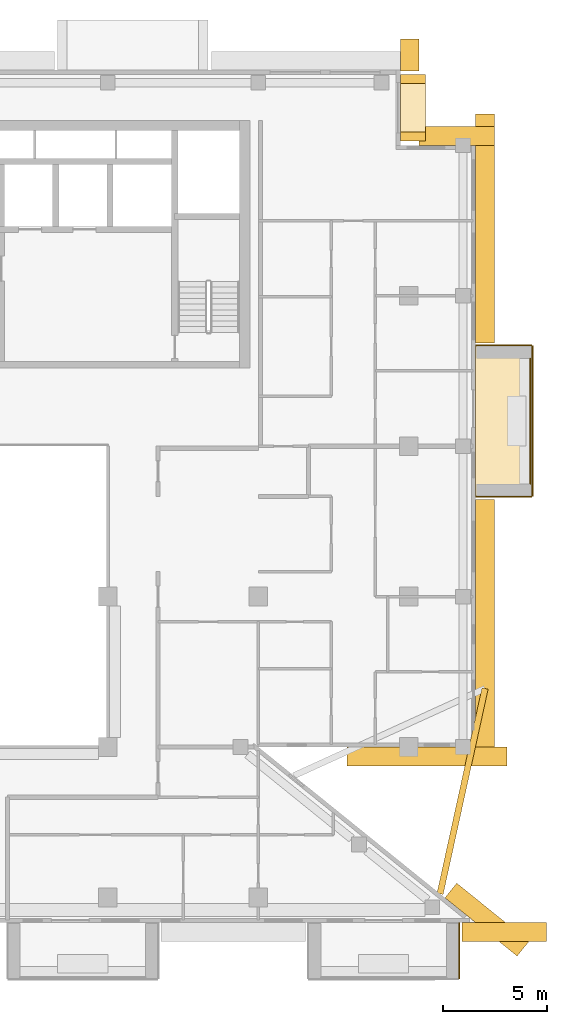
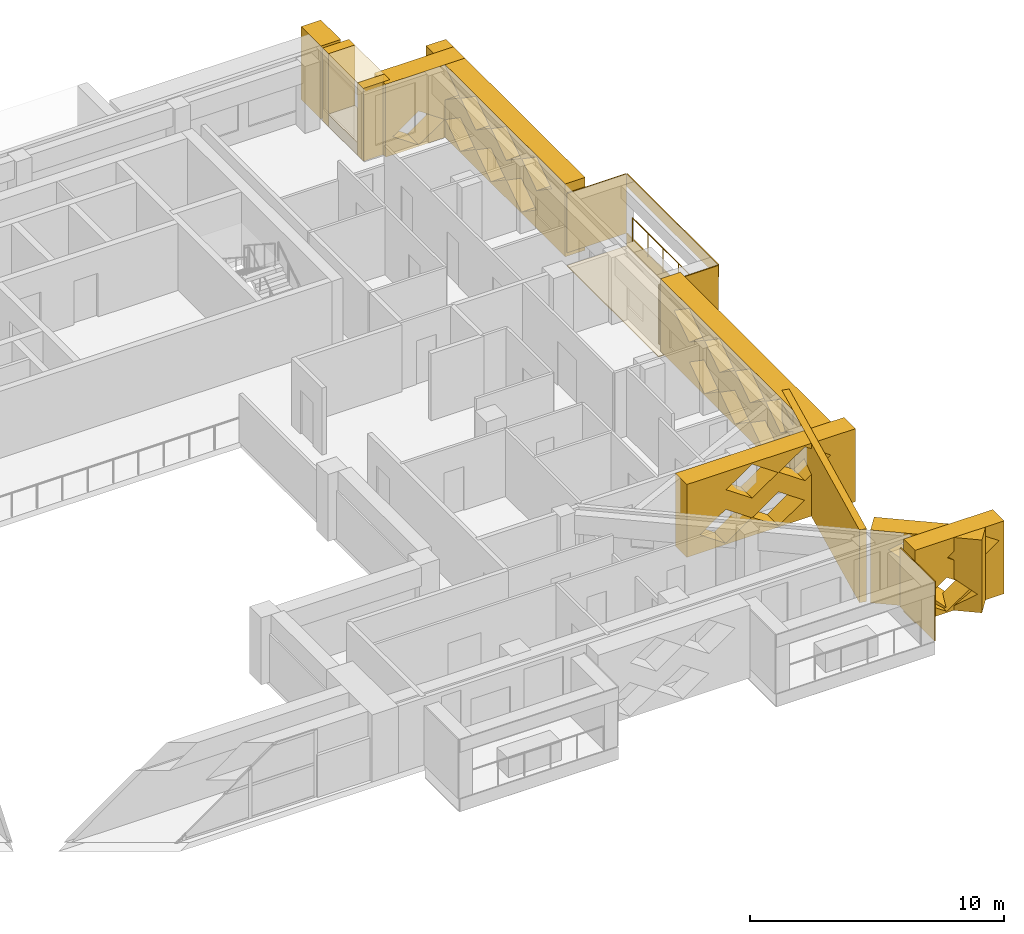
# One storey, part 19 of 19: 18 coverings, 1 railing.
"""IFC4 building model written with IfcOpenShell, lengths in metres."""

from ifc_helpers import new_model, si_unit, direction, frame, origin, origin_2d, place, context, subcontext, project, spatial, polyline, circle, outline, extrude, material, layer, layer_set, type_object, element, save


model = new_model("IFC4")

# Units and contexts
model_context = context("Model", 3, precision=1e-05, world=origin(), true_north=direction((0.0, 1.0)))
body_context = subcontext(model_context, "Body", "Model", "MODEL_VIEW")
ifc_project = project(units=[si_unit("LENGTHUNIT", "METRE"), si_unit("AREAUNIT", "SQUARE_METRE"), si_unit("VOLUMEUNIT", "CUBIC_METRE"), si_unit("PLANEANGLEUNIT", "RADIAN"), si_unit("MASSUNIT", "GRAM", prefix="KILO")], contexts=[model_context])

# Site, building, storey
site_placement = place(None, origin())
site = spatial("IfcSite", under=ifc_project, at=site_placement, CompositionType="ELEMENT")
building_placement = place(site_placement, origin())
building = spatial("IfcBuilding", under=site, at=building_placement, Name="Saffron Iwan Residences", CompositionType="ELEMENT")
storey_placement = place(building_placement, frame((0.0, 0.0, 225.5)))
storey = spatial("IfcBuildingStorey", under=building, at=storey_placement, Name="L60", CompositionType="ELEMENT", Elevation=225.5)

# Railing
ifc_material_1 = material(Name="Stainless steel 316", Category="steel")
railing_type = type_object("IfcRailingType", Name="BALCONY GUARD 1150", PredefinedType="GUARDRAIL", material=ifc_material_1)
railing_placement = place(storey_placement, frame((85.02490234375, 60.60009765625, 0.0)))
element("IfcRailing", 1, at=railing_placement, inside=storey, type_object=railing_type, Name="Balcony guard L60 F2-0", PredefinedType="GUARDRAIL", context=body_context, shape_type="SweptSolid", body=[
    extrude(circle(Radius=0.02392578125, at=origin_2d()), frame((0.0, 0.0, 1.1259765625), z_axis=(0.0, 1.0, 0.0), x_axis=(-1.0, 0.0, 0.0)), (0.0, 0.0, 1.0), 6.0),
    extrude(circle(Radius=0.02099609375, at=origin_2d()), origin(), (0.0, 0.0, 1.0), 1.101806640625),
    extrude(circle(Radius=0.02099609375, at=origin_2d()), frame((0.0, 1.199951171875, 0.0)), (0.0, 0.0, 1.0), 1.101806640625),
    extrude(circle(Radius=0.02099609375, at=origin_2d()), frame((0.0, 2.39990234375, 0.0)), (0.0, 0.0, 1.0), 1.101806640625),
    extrude(circle(Radius=0.02099609375, at=origin_2d()), frame((0.0, 3.60009765625, 0.0)), (0.0, 0.0, 1.0), 1.101806640625),
    extrude(circle(Radius=0.02099609375, at=origin_2d()), frame((0.0, 4.800048828125, 0.0)), (0.0, 0.0, 1.0), 1.101806640625),
    extrude(circle(Radius=0.02099609375, at=origin_2d()), frame((0.0, 6.0, 0.0)), (0.0, 0.0, 1.0), 1.101806640625),
])

# Coverings
ifc_material_2 = material(Name="Precast concrete C40/50 white painted", Category="concrete")
ifc_layer_1 = layer(ifc_material_2, 0.050048828125)
ifc_layer_set_1 = layer_set([ifc_layer_1], Name="Precast concrete C40/50 white painted")
covering_type_1 = type_object("IfcCoveringType", Name="FRAME SKIN PRECAST WHITE 50", PredefinedType="CLADDING", material=ifc_layer_set_1)
for number, where, name in (
    (2, (0.0, 0.0, -0.60009765625), "Frame skin slab edge L60 F2-0"),
    (3, (0.0, 0.0, 2.25), "Frame skin fascia L60 F2-0"),
):
    element("IfcCovering", number, at=place(storey_placement, frame(where)), inside=storey, type_object=covering_type_1, Name=name, PredefinedType="CLADDING", context=body_context, shape_type="SweptSolid", body=[
        extrude(outline(polyline([(85.14990234375, 60.0), (85.14990234375, 67.199951171875), (85.10009765625, 67.199951171875), (85.10009765625, 60.0), (85.14990234375, 60.0)])), origin(), (0.0, 0.0, 1.0), 0.60009765625),
    ])
covering_1_placement = place(storey_placement, frame((0.0, 0.0, -0.64990234375)))
element("IfcCovering", 4, at=covering_1_placement, inside=storey, type_object=covering_type_1, Name="Frame skin soffit L60 F2-0", PredefinedType="CLADDING", context=body_context, shape_type="SweptSolid", body=[
    extrude(outline(polyline([(85.10009765625, 60.0), (85.10009765625, 67.199951171875), (82.39990234375, 67.199951171875), (82.39990234375, 60.0), (85.10009765625, 60.0)])), origin(), (0.0, 0.0, 1.0), 0.0498046875),
])
covering_2_placement = place(storey_placement, origin())
element("IfcCovering", 5, at=covering_2_placement, inside=storey, type_object=covering_type_1, Name="Frame skin fin L60 F2-0a", PredefinedType="CLADDING", context=body_context, shape_type="SweptSolid", body=[
    extrude(outline(polyline([(85.10009765625, 59.949951171875), (85.10009765625, 60.0), (82.39990234375, 60.0), (82.39990234375, 59.949951171875), (85.10009765625, 59.949951171875)])), origin(), (0.0, 0.0, 1.0), 2.85009765625),
])
covering_3_placement = place(storey_placement, origin())
element("IfcCovering", 6, at=covering_3_placement, inside=storey, type_object=covering_type_1, Name="Frame skin fin L60 F2-0b", PredefinedType="CLADDING", context=body_context, shape_type="SweptSolid", body=[
    extrude(outline(polyline([(85.10009765625, 67.199951171875), (85.10009765625, 67.25), (82.39990234375, 67.25), (82.39990234375, 67.199951171875), (85.10009765625, 67.199951171875)])), origin(), (0.0, 0.0, 1.0), 2.85009765625),
])
covering_4_placement = place(storey_placement, origin())
element("IfcCovering", 7, at=covering_4_placement, inside=storey, type_object=covering_type_1, Name="Frame skin fin L60 11-2b", PredefinedType="CLADDING", context=body_context, shape_type="SweptSolid", body=[
    extrude(outline(polyline([(81.60009765625, 36.89990234375), (81.64990234375, 36.89990234375), (81.64990234375, 39.60009765625), (81.60009765625, 39.60009765625), (81.60009765625, 36.89990234375)])), origin(), (0.0, 0.0, 1.0), 2.85009765625),
])
ifc_material_3 = material(Name="Precast concrete C40/50", Category="concrete")
covering_type_2 = type_object("IfcCoveringType", Name="OUTER SKIN LATTICE SCREEN", PredefinedType="CLADDING", material=ifc_material_3)
covering_5_placement = place(storey_placement, frame((84.387939453125, 37.994384765625, -0.280029296875), z_axis=(0.628558089533, 0.777762642509, 0.0), x_axis=(-0.777762642509, 0.628558089533, 0.0)))
element("IfcCovering", 8, at=covering_5_placement, inside=storey, type_object=covering_type_2, Name="OUTER SKIN lattice screen L60 F0.0", PredefinedType="CLADDING", context=body_context, shape_type="SweptSolid", body=[
    extrude(outline(polyline([(0.0, 0.0), (4.439697265625, 0.0), (4.439697265625, 3.5), (0.0, 3.5), (0.0, 0.0)]), holes=[polyline([(0.175537109375, 0.875), (1.35546875, 0.06005859375), (2.535400390625, 0.875), (1.35546875, 1.68994140625), (0.175537109375, 0.875)]), polyline([(1.37548828125, 2.625), (2.555419921875, 1.81005859375), (3.735595703125, 2.625), (2.555419921875, 3.43994140625), (1.37548828125, 2.625)])]), origin(), (0.0, 0.0, 1.0), 0.89990234375),
])
covering_6_placement = place(storey_placement, frame((76.235595703125, 48.0, -0.280029296875), z_axis=(0.0, -1.0, 0.0), x_axis=(1.0, 0.0, 0.0)))
element("IfcCovering", 9, at=covering_6_placement, inside=storey, type_object=covering_type_2, Name="OUTER SKIN lattice screen L60 F1.0", PredefinedType="CLADDING", context=body_context, shape_type="SweptSolid", body=[
    extrude(outline(polyline([(0.0, 0.0), (7.66455078125, 0.0), (7.66455078125, 3.5), (0.0, 3.5), (0.0, 0.0)]), holes=[polyline([(0.58447265625, 0.875), (1.764404296875, 0.06005859375), (2.944580078125, 0.875), (1.764404296875, 1.68994140625), (0.58447265625, 0.875)]), polyline([(2.984619140625, 0.875), (4.16455078125, 0.06005859375), (5.344482421875, 0.875), (4.16455078125, 1.68994140625), (2.984619140625, 0.875)]), polyline([(1.784423828125, 2.625), (2.964599609375, 1.81005859375), (4.14453125, 2.625), (2.964599609375, 3.43994140625), (1.784423828125, 2.625)]), polyline([(4.1845703125, 2.625), (5.364501953125, 1.81005859375), (6.54443359375, 2.625), (5.364501953125, 3.43994140625), (4.1845703125, 2.625)])]), origin(), (0.0, 0.0, 1.0), 0.89990234375),
])
covering_7_placement = place(storey_placement, frame((82.39990234375, 47.10009765625, -0.280029296875), z_axis=(1.0, 0.0, 0.0), x_axis=(0.0, 1.0, 0.0)))
element("IfcCovering", 10, at=covering_7_placement, inside=storey, type_object=covering_type_2, Name="OUTER SKIN lattice screen L60 F2.0", PredefinedType="CLADDING", context=body_context, shape_type="SweptSolid", body=[
    extrude(outline(polyline([(0.0, 0.0), (12.75, 0.0), (12.75, 3.5), (0.0, 3.5), (0.0, 0.0)]), holes=[polyline([(0.919921875, 0.875), (2.10009765625, 0.06005859375), (3.280029296875, 0.875), (2.10009765625, 1.68994140625), (0.919921875, 0.875)]), polyline([(3.320068359375, 0.875), (4.5, 0.06005859375), (5.679931640625, 0.875), (4.5, 1.68994140625), (3.320068359375, 0.875)]), polyline([(5.719970703125, 0.875), (6.89990234375, 0.06005859375), (8.080078125, 0.875), (6.89990234375, 1.68994140625), (5.719970703125, 0.875)]), polyline([(8.1201171875, 0.875), (9.300048828125, 0.06005859375), (10.47998046875, 0.875), (9.300048828125, 1.68994140625), (8.1201171875, 0.875)]), polyline([(2.1201171875, 2.625), (3.300048828125, 1.81005859375), (4.47998046875, 2.625), (3.300048828125, 3.43994140625), (2.1201171875, 2.625)]), polyline([(4.52001953125, 2.625), (5.699951171875, 1.81005859375), (6.8798828125, 2.625), (5.699951171875, 3.43994140625), (4.52001953125, 2.625)]), polyline([(6.919921875, 2.625), (8.10009765625, 1.81005859375), (9.280029296875, 2.625), (8.10009765625, 3.43994140625), (6.919921875, 2.625)]), polyline([(9.320068359375, 2.625), (10.5, 1.81005859375), (11.679931640625, 2.625), (10.5, 3.43994140625), (9.320068359375, 2.625)])]), origin(), (0.0, 0.0, 1.0), 0.900146484375),
])
covering_8_placement = place(storey_placement, frame((82.39990234375, 67.35009765625, -0.280029296875), z_axis=(1.0, 0.0, 0.0), x_axis=(0.0, 1.0, 0.0)))
element("IfcCovering", 11, at=covering_8_placement, inside=storey, type_object=covering_type_2, Name="OUTER SKIN lattice screen L60 F2.1", PredefinedType="CLADDING", context=body_context, shape_type="SweptSolid", body=[
    extrude(outline(polyline([(0.0, 0.0), (10.949951171875, 0.0), (10.949951171875, 3.5), (0.0, 3.5), (0.0, 0.0)]), holes=[polyline([(2.27001953125, 0.875), (3.449951171875, 0.06005859375), (4.6298828125, 0.875), (3.449951171875, 1.68994140625), (2.27001953125, 0.875)]), polyline([(4.669921875, 0.875), (5.85009765625, 0.06005859375), (7.030029296875, 0.875), (5.85009765625, 1.68994140625), (4.669921875, 0.875)]), polyline([(7.070068359375, 0.875), (8.25, 0.06005859375), (9.429931640625, 0.875), (8.25, 1.68994140625), (7.070068359375, 0.875)]), polyline([(1.070068359375, 2.625), (2.25, 1.81005859375), (3.429931640625, 2.625), (2.25, 3.43994140625), (1.070068359375, 2.625)]), polyline([(3.469970703125, 2.625), (4.64990234375, 1.81005859375), (5.830078125, 2.625), (4.64990234375, 3.43994140625), (3.469970703125, 2.625)]), polyline([(5.8701171875, 2.625), (7.050048828125, 1.81005859375), (8.22998046875, 2.625), (7.050048828125, 3.43994140625), (5.8701171875, 2.625)]), polyline([(8.27001953125, 2.625), (9.449951171875, 1.81005859375), (10.6298828125, 2.625), (9.449951171875, 3.43994140625), (8.27001953125, 2.625)])]), origin(), (0.0, 0.0, 1.0), 0.900146484375),
])
covering_9_placement = place(storey_placement, frame((83.300048828125, 76.800048828125, -0.280029296875), z_axis=(0.0, 1.0, 0.0), x_axis=(-1.0, 0.0, 0.0)))
element("IfcCovering", 12, at=covering_9_placement, inside=storey, type_object=covering_type_2, Name="OUTER SKIN lattice screen L60 F3.0", PredefinedType="CLADDING", context=body_context, shape_type="SweptSolid", body=[
    extrude(outline(polyline([(0.0, 0.0), (3.60009765625, 0.0), (3.60009765625, 3.5), (0.0, 3.5), (0.0, 0.0)]), holes=[polyline([(0.919921875, 0.875), (2.10009765625, 0.06005859375), (3.280029296875, 0.875), (2.10009765625, 1.68994140625), (0.919921875, 0.875)])]), origin(), (0.0, 0.0, 1.0), 0.89990234375),
])
covering_10_placement = place(storey_placement, frame((78.800048828125, 80.35009765625, -0.280029296875), z_axis=(1.0, 0.0, 0.0), x_axis=(0.0, 1.0, 0.0)))
element("IfcCovering", 13, at=covering_10_placement, inside=storey, type_object=covering_type_2, Name="OUTER SKIN lattice screen L60 F4.0", PredefinedType="CLADDING", context=body_context, shape_type="SweptSolid", body=[
    extrude(outline(polyline([(0.0, 0.0), (1.550048828125, 0.0), (1.550048828125, 3.5), (0.0, 3.5), (0.0, 0.0)])), origin(), (0.0, 0.0, 1.0), 0.89990234375),
])
covering_11_placement = place(storey_placement, frame((81.75, 39.60009765625, -0.280029296875), z_axis=(0.0, -1.0, 0.0), x_axis=(1.0, 0.0, 0.0)))
element("IfcCovering", 14, at=covering_11_placement, inside=storey, type_object=covering_type_2, Name="OUTER SKIN lattice screen L60 F11.3", PredefinedType="CLADDING", context=body_context, shape_type="SweptSolid", body=[
    extrude(outline(polyline([(0.0, 0.0), (4.04541015625, 0.0), (4.04541015625, 3.5), (0.0, 3.5), (0.0, 0.0)]), holes=[polyline([(0.27001953125, 0.875), (1.449951171875, 0.06005859375), (2.6298828125, 0.875), (1.449951171875, 1.68994140625), (0.27001953125, 0.875)]), polyline([(1.469970703125, 2.625), (2.64990234375, 1.81005859375), (3.830078125, 2.625), (2.64990234375, 3.43994140625), (1.469970703125, 2.625)])]), origin(), (0.0, 0.0, 1.0), 0.900146484375),
])
ifc_layer_2 = layer(ifc_material_2, 0.300048828125)
ifc_layer_set_2 = layer_set([ifc_layer_2], Name="Precast concrete C40/50 white painted")
covering_type_3 = type_object("IfcCoveringType", Name="PROW NOSE BLADE PRECAST WHITE", PredefinedType="CLADDING", material=ifc_layer_set_2)
covering_12_placement = place(storey_placement, frame((0.0, 0.0, -0.280029296875)))
element("IfcCovering", 15, at=covering_12_placement, inside=storey, type_object=covering_type_3, Name="Prow nose blade L60 a", PredefinedType="CLADDING", context=body_context, shape_type="SweptSolid", body=[
    extrude(outline(polyline([(80.847412109375, 40.9404296875), (83.001708984375, 50.769287109375), (82.70849609375, 50.83349609375), (80.55419921875, 41.004638671875), (80.847412109375, 40.9404296875)])), origin(), (0.0, 0.0, 1.0), 3.5),
])
covering_type_4 = type_object("IfcCoveringType", Name="WHITE SUN FRAME PRECAST", PredefinedType="CLADDING", material=ifc_material_2)
for number, where, z_axis, x_axis, name in (
    (16, (78.800048828125, 77.0, -0.280029296875), (1.0, 0.0, 0.0), (0.0, 1.0, 0.0), "Sun frame L60 F4 0.2a"),
    (17, (78.800048828125, 79.75, -0.280029296875), (1.0, 0.0, 0.0), (0.0, 1.0, 0.0), "Sun frame L60 F4 0.2b"),
):
    element("IfcCovering", number, at=place(storey_placement, frame(where, z_axis=z_axis, x_axis=x_axis)), inside=storey, type_object=covering_type_4, Name=name, PredefinedType="CLADDING", context=body_context, shape_type="SweptSolid", body=[
        extrude(outline(polyline([(0.0, 0.0), (0.449951171875, 0.0), (0.449951171875, 3.5), (0.0, 3.5), (0.0, 0.0)])), origin(), (0.0, 0.0, 1.0), 1.199951171875),
    ])
for number, where, z_axis, x_axis, name in (
    (18, (78.800048828125, 77.449951171875, 2.6201171875), (1.0, 0.0, 0.0), (0.0, 1.0, 0.0), "Sun frame L60 F4 0.2h"),
    (19, (78.800048828125, 77.449951171875, -0.280029296875), (1.0, 0.0, 0.0), (0.0, 1.0, 0.0), "Sun frame L60 F4 0.2s"),
):
    element("IfcCovering", number, at=place(storey_placement, frame(where, z_axis=z_axis, x_axis=x_axis)), inside=storey, type_object=covering_type_4, Name=name, PredefinedType="CLADDING", context=body_context, shape_type="SweptSolid", body=[
        extrude(outline(polyline([(0.0, 0.0), (2.300048828125, 0.0), (2.300048828125, 0.60009765625), (0.0, 0.60009765625), (0.0, 0.0)])), origin(), (0.0, 0.0, 1.0), 1.199951171875),
    ])

save(model, "model.ifc")
